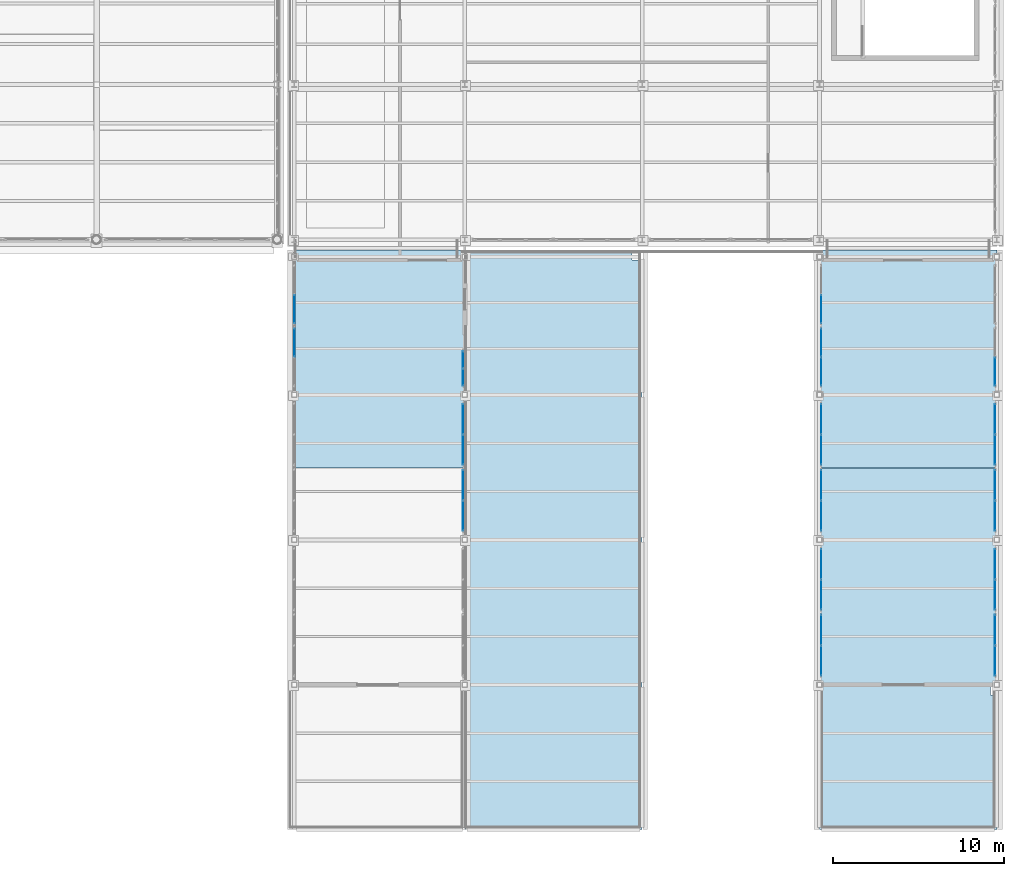
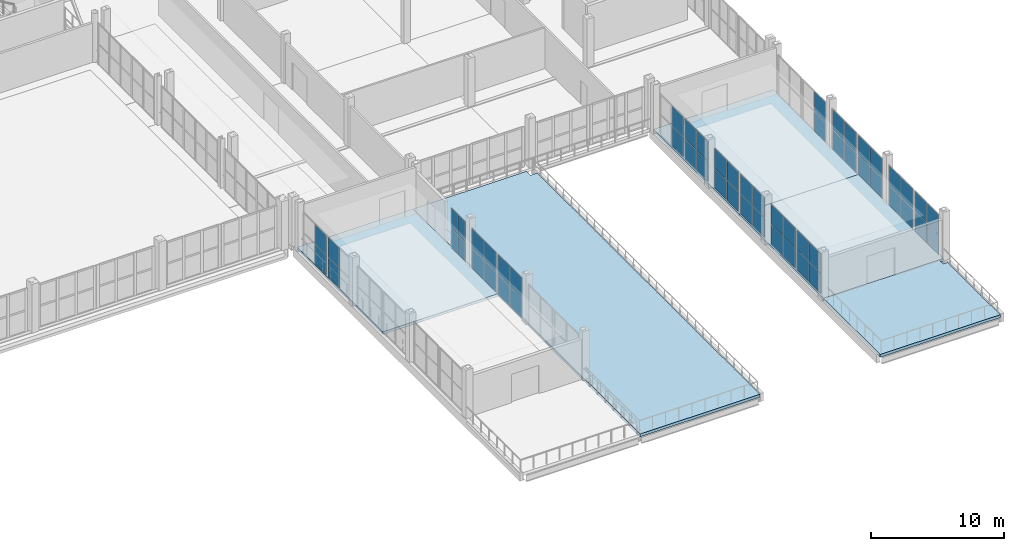
# One storey, part 108 of 156: 56 plates, 5 slabs, 16 elements without a shape of their own.
"""IFC4 building model written with IfcOpenShell, lengths in metres."""

from ifc_helpers import new_model, si_unit, direction, frame, origin, origin_2d, place, context, subcontext, project, spatial, polyline, rectangle, outline, extrude, material, layer, layer_set, type_object, element, aggregate, save


model = new_model("IFC4")

# Units and contexts
model_context = context("Model", 3, precision=1e-05, world=origin(), true_north=direction((0.0, 1.0)))
body_context = subcontext(model_context, "Body", "Model", "MODEL_VIEW")
ifc_project = project(units=[si_unit("LENGTHUNIT", "METRE"), si_unit("AREAUNIT", "SQUARE_METRE"), si_unit("VOLUMEUNIT", "CUBIC_METRE"), si_unit("PLANEANGLEUNIT", "RADIAN"), si_unit("MASSUNIT", "GRAM", prefix="KILO")], contexts=[model_context])

# Site, building, storey
site_placement = place(None, origin())
site = spatial("IfcSite", under=ifc_project, at=site_placement, CompositionType="ELEMENT")
building_placement = place(site_placement, origin())
building = spatial("IfcBuilding", under=site, at=building_placement, Name="Caurita Quay Ferry Terminal", CompositionType="ELEMENT")
storey_placement = place(building_placement, frame((0.0, 0.0, 5.39990234375)))
storey = spatial("IfcBuildingStorey", under=building, at=storey_placement, Name="L01", CompositionType="ELEMENT", Elevation=5.39990234375)

# Curtain wall, plates
ifc_material_1 = material(Name="Laminated solar-control insulated glass", Category="glass")
curtain_wall_type_1 = type_object("IfcCurtainWallType", Name="CW-SYS-16", PredefinedType="NOTDEFINED", material=ifc_material_1)
curtain_wall_1_placement = place(storey_placement, origin())
curtain_wall_1 = element("IfcCurtainWall", 1, at=curtain_wall_1_placement, inside=storey, type_object=curtain_wall_type_1, Name="Boarding Gangway Ribbon Curtain Wall 117", PredefinedType="NOTDEFINED")
ifc_layer_1 = layer(ifc_material_1, 0.02392578125, Name="Laminated low-e hurricane-rated glazing unit 24 mm")
ifc_layer_set_1 = layer_set([ifc_layer_1], Name="Laminated solar-control insulated glass")
plate_type = type_object("IfcPlateType", Name="CW-PNL-24", PredefinedType="CURTAIN_PANEL", material=ifc_layer_set_1)
plate_1_placement = place(storey_placement, frame((132.800048828125, 28.5673828125, 0.05322265625), z_axis=(0.0, 0.0, 1.0), x_axis=(0.0, 1.0, 0.0)))
plate_1 = element("IfcPlate", 2, at=plate_1_placement, type_object=plate_type, Name="CW-BGW-117 Glazing Panel 3", PredefinedType="CURTAIN_PANEL", context=body_context, shape_type="SweptSolid", body=[
    extrude(rectangle(XDim=1.64892578125, YDim=0.02392578125, at=origin_2d()), origin(), (0.0, 0.0, 1.0), 1.79638671875),
])
plate_2_placement = place(storey_placement, frame((132.800048828125, 28.5673828125, 1.900634765625), z_axis=(0.0, 0.0, 1.0), x_axis=(0.0, 1.0, 0.0)))
plate_2 = element("IfcPlate", 3, at=plate_2_placement, type_object=plate_type, Name="CW-BGW-117 Glazing Panel 4", PredefinedType="CURTAIN_PANEL", context=body_context, shape_type="SweptSolid", body=[
    extrude(rectangle(XDim=1.64892578125, YDim=0.02392578125, at=origin_2d()), origin(), (0.0, 0.0, 1.0), 1.79638671875),
])
aggregate(curtain_wall_1, [plate_1, plate_2])

curtain_wall_2_placement = place(storey_placement, origin())
curtain_wall_2 = element("IfcCurtainWall", 4, at=curtain_wall_2_placement, inside=storey, type_object=curtain_wall_type_1, Name="Boarding Gangway Ribbon Curtain Wall 118", PredefinedType="NOTDEFINED")
plate_3_placement = place(storey_placement, frame((132.800048828125, 30.532470703125, 0.05322265625), z_axis=(0.0, 0.0, 1.0), x_axis=(0.0, 1.0, 0.0)))
plate_3 = element("IfcPlate", 5, at=plate_3_placement, type_object=plate_type, Name="CW-BGW-118 Glazing Panel 1", PredefinedType="CURTAIN_PANEL", context=body_context, shape_type="SweptSolid", body=[
    extrude(rectangle(XDim=1.64892578125, YDim=0.02392578125, at=origin_2d()), origin(), (0.0, 0.0, 1.0), 1.79638671875),
])
plate_4_placement = place(storey_placement, frame((132.800048828125, 30.532470703125, 1.900634765625), z_axis=(0.0, 0.0, 1.0), x_axis=(0.0, 1.0, 0.0)))
plate_4 = element("IfcPlate", 6, at=plate_4_placement, type_object=plate_type, Name="CW-BGW-118 Glazing Panel 2", PredefinedType="CURTAIN_PANEL", context=body_context, shape_type="SweptSolid", body=[
    extrude(rectangle(XDim=1.64892578125, YDim=0.02392578125, at=origin_2d()), origin(), (0.0, 0.0, 1.0), 1.79638671875),
])
aggregate(curtain_wall_2, [plate_3, plate_4])

curtain_wall_type_2 = type_object("IfcCurtainWallType", Name="CW-SYS-15", PredefinedType="NOTDEFINED", material=ifc_material_1)
curtain_wall_3_placement = place(storey_placement, origin())
curtain_wall_3 = element("IfcCurtainWall", 7, at=curtain_wall_3_placement, inside=storey, type_object=curtain_wall_type_2, Name="Boarding Gangway Ribbon Curtain Wall 121", PredefinedType="NOTDEFINED")
plate_5_placement = place(storey_placement, frame((142.699951171875, 18.41259765625, 0.05322265625), z_axis=(0.0, 0.0, 1.0), x_axis=(0.0, 1.0, 0.0)))
plate_5 = element("IfcPlate", 8, at=plate_5_placement, type_object=plate_type, Name="CW-BGW-121 Glazing Panel 1", PredefinedType="CURTAIN_PANEL", context=body_context, shape_type="SweptSolid", body=[
    extrude(rectangle(XDim=1.7490234375, YDim=0.02392578125, at=origin_2d()), origin(), (0.0, 0.0, 1.0), 1.79638671875),
])
plate_6_placement = place(storey_placement, frame((142.699951171875, 18.41259765625, 1.900634765625), z_axis=(0.0, 0.0, 1.0), x_axis=(0.0, 1.0, 0.0)))
plate_6 = element("IfcPlate", 9, at=plate_6_placement, type_object=plate_type, Name="CW-BGW-121 Glazing Panel 2", PredefinedType="CURTAIN_PANEL", context=body_context, shape_type="SweptSolid", body=[
    extrude(rectangle(XDim=1.7490234375, YDim=0.02392578125, at=origin_2d()), origin(), (0.0, 0.0, 1.0), 1.79638671875),
])
plate_7_placement = place(storey_placement, frame((142.699951171875, 20.217529296875, 0.05322265625), z_axis=(0.0, 0.0, 1.0), x_axis=(0.0, 1.0, 0.0)))
plate_7 = element("IfcPlate", 10, at=plate_7_placement, type_object=plate_type, Name="CW-BGW-121 Glazing Panel 3", PredefinedType="CURTAIN_PANEL", context=body_context, shape_type="SweptSolid", body=[
    extrude(rectangle(XDim=1.7490234375, YDim=0.02392578125, at=origin_2d()), origin(), (0.0, 0.0, 1.0), 1.79638671875),
])
plate_8_placement = place(storey_placement, frame((142.699951171875, 20.217529296875, 1.900634765625), z_axis=(0.0, 0.0, 1.0), x_axis=(0.0, 1.0, 0.0)))
plate_8 = element("IfcPlate", 11, at=plate_8_placement, type_object=plate_type, Name="CW-BGW-121 Glazing Panel 4", PredefinedType="CURTAIN_PANEL", context=body_context, shape_type="SweptSolid", body=[
    extrude(rectangle(XDim=1.7490234375, YDim=0.02392578125, at=origin_2d()), origin(), (0.0, 0.0, 1.0), 1.79638671875),
])
aggregate(curtain_wall_3, [plate_5, plate_6, plate_7, plate_8])

curtain_wall_4_placement = place(storey_placement, origin())
curtain_wall_4 = element("IfcCurtainWall", 12, at=curtain_wall_4_placement, inside=storey, type_object=curtain_wall_type_2, Name="Boarding Gangway Ribbon Curtain Wall 122", PredefinedType="NOTDEFINED")
plate_9_placement = place(storey_placement, frame((142.699951171875, 22.282470703125, 0.05322265625), z_axis=(0.0, 0.0, 1.0), x_axis=(0.0, 1.0, 0.0)))
plate_9 = element("IfcPlate", 13, at=plate_9_placement, type_object=plate_type, Name="CW-BGW-122 Glazing Panel 1", PredefinedType="CURTAIN_PANEL", context=body_context, shape_type="SweptSolid", body=[
    extrude(rectangle(XDim=1.7490234375, YDim=0.02392578125, at=origin_2d()), origin(), (0.0, 0.0, 1.0), 1.79638671875),
])
plate_10_placement = place(storey_placement, frame((142.699951171875, 22.282470703125, 1.900634765625), z_axis=(0.0, 0.0, 1.0), x_axis=(0.0, 1.0, 0.0)))
plate_10 = element("IfcPlate", 14, at=plate_10_placement, type_object=plate_type, Name="CW-BGW-122 Glazing Panel 2", PredefinedType="CURTAIN_PANEL", context=body_context, shape_type="SweptSolid", body=[
    extrude(rectangle(XDim=1.7490234375, YDim=0.02392578125, at=origin_2d()), origin(), (0.0, 0.0, 1.0), 1.79638671875),
])
plate_11_placement = place(storey_placement, frame((142.699951171875, 24.08740234375, 0.05322265625), z_axis=(0.0, 0.0, 1.0), x_axis=(0.0, 1.0, 0.0)))
plate_11 = element("IfcPlate", 15, at=plate_11_placement, type_object=plate_type, Name="CW-BGW-122 Glazing Panel 3", PredefinedType="CURTAIN_PANEL", context=body_context, shape_type="SweptSolid", body=[
    extrude(rectangle(XDim=1.7490234375, YDim=0.02392578125, at=origin_2d()), origin(), (0.0, 0.0, 1.0), 1.79638671875),
])
plate_12_placement = place(storey_placement, frame((142.699951171875, 24.08740234375, 1.900634765625), z_axis=(0.0, 0.0, 1.0), x_axis=(0.0, 1.0, 0.0)))
plate_12 = element("IfcPlate", 16, at=plate_12_placement, type_object=plate_type, Name="CW-BGW-122 Glazing Panel 4", PredefinedType="CURTAIN_PANEL", context=body_context, shape_type="SweptSolid", body=[
    extrude(rectangle(XDim=1.7490234375, YDim=0.02392578125, at=origin_2d()), origin(), (0.0, 0.0, 1.0), 1.79638671875),
])
aggregate(curtain_wall_4, [plate_9, plate_10, plate_11, plate_12])

curtain_wall_type_3 = type_object("IfcCurtainWallType", Name="CW-SYS-17", PredefinedType="NOTDEFINED", material=ifc_material_1)
curtain_wall_5_placement = place(storey_placement, origin())
curtain_wall_5 = element("IfcCurtainWall", 17, at=curtain_wall_5_placement, inside=storey, type_object=curtain_wall_type_3, Name="Boarding Gangway Ribbon Curtain Wall 123", PredefinedType="NOTDEFINED")
plate_13_placement = place(storey_placement, frame((142.699951171875, 26.530029296875, 0.05322265625), z_axis=(0.0, 0.0, 1.0), x_axis=(0.0, 1.0, 0.0)))
plate_13 = element("IfcPlate", 18, at=plate_13_placement, type_object=plate_type, Name="CW-BGW-123 Glazing Panel 1", PredefinedType="CURTAIN_PANEL", context=body_context, shape_type="SweptSolid", body=[
    extrude(rectangle(XDim=0.98388671875, YDim=0.02392578125, at=origin_2d()), origin(), (0.0, 0.0, 1.0), 1.79638671875),
])
plate_14_placement = place(storey_placement, frame((142.699951171875, 26.530029296875, 1.900634765625), z_axis=(0.0, 0.0, 1.0), x_axis=(0.0, 1.0, 0.0)))
plate_14 = element("IfcPlate", 19, at=plate_14_placement, type_object=plate_type, Name="CW-BGW-123 Glazing Panel 2", PredefinedType="CURTAIN_PANEL", context=body_context, shape_type="SweptSolid", body=[
    extrude(rectangle(XDim=0.98388671875, YDim=0.02392578125, at=origin_2d()), origin(), (0.0, 0.0, 1.0), 1.79638671875),
])
plate_15_placement = place(storey_placement, frame((142.699951171875, 27.570068359375, 0.05322265625), z_axis=(0.0, 0.0, 1.0), x_axis=(0.0, 1.0, 0.0)))
plate_15 = element("IfcPlate", 20, at=plate_15_placement, type_object=plate_type, Name="CW-BGW-123 Glazing Panel 3", PredefinedType="CURTAIN_PANEL", context=body_context, shape_type="SweptSolid", body=[
    extrude(rectangle(XDim=0.98388671875, YDim=0.02392578125, at=origin_2d()), origin(), (0.0, 0.0, 1.0), 1.79638671875),
])
plate_16_placement = place(storey_placement, frame((142.699951171875, 27.570068359375, 1.900634765625), z_axis=(0.0, 0.0, 1.0), x_axis=(0.0, 1.0, 0.0)))
plate_16 = element("IfcPlate", 21, at=plate_16_placement, type_object=plate_type, Name="CW-BGW-123 Glazing Panel 4", PredefinedType="CURTAIN_PANEL", context=body_context, shape_type="SweptSolid", body=[
    extrude(rectangle(XDim=0.98388671875, YDim=0.02392578125, at=origin_2d()), origin(), (0.0, 0.0, 1.0), 1.79638671875),
])
aggregate(curtain_wall_5, [plate_13, plate_14, plate_15, plate_16])

curtain_wall_6_placement = place(storey_placement, origin())
curtain_wall_6 = element("IfcCurtainWall", 22, at=curtain_wall_6_placement, inside=storey, type_object=curtain_wall_type_2, Name="Boarding Gangway Ribbon Curtain Wall 124", PredefinedType="NOTDEFINED")
plate_17_placement = place(storey_placement, frame((163.699951171875, 9.91259765625, 0.05322265625), z_axis=(0.0, 0.0, 1.0), x_axis=(0.0, 1.0, 0.0)))
plate_17 = element("IfcPlate", 23, at=plate_17_placement, type_object=plate_type, Name="CW-BGW-124 Glazing Panel 1", PredefinedType="CURTAIN_PANEL", context=body_context, shape_type="SweptSolid", body=[
    extrude(rectangle(XDim=1.7490234375, YDim=0.02392578125, at=origin_2d()), origin(), (0.0, 0.0, 1.0), 1.79638671875),
])
plate_18_placement = place(storey_placement, frame((163.699951171875, 9.91259765625, 1.900634765625), z_axis=(0.0, 0.0, 1.0), x_axis=(0.0, 1.0, 0.0)))
plate_18 = element("IfcPlate", 24, at=plate_18_placement, type_object=plate_type, Name="CW-BGW-124 Glazing Panel 2", PredefinedType="CURTAIN_PANEL", context=body_context, shape_type="SweptSolid", body=[
    extrude(rectangle(XDim=1.7490234375, YDim=0.02392578125, at=origin_2d()), origin(), (0.0, 0.0, 1.0), 1.79638671875),
])
plate_19_placement = place(storey_placement, frame((163.699951171875, 11.717529296875, 0.05322265625), z_axis=(0.0, 0.0, 1.0), x_axis=(0.0, 1.0, 0.0)))
plate_19 = element("IfcPlate", 25, at=plate_19_placement, type_object=plate_type, Name="CW-BGW-124 Glazing Panel 3", PredefinedType="CURTAIN_PANEL", context=body_context, shape_type="SweptSolid", body=[
    extrude(rectangle(XDim=1.7490234375, YDim=0.02392578125, at=origin_2d()), origin(), (0.0, 0.0, 1.0), 1.79638671875),
])
plate_20_placement = place(storey_placement, frame((163.699951171875, 11.717529296875, 1.900634765625), z_axis=(0.0, 0.0, 1.0), x_axis=(0.0, 1.0, 0.0)))
plate_20 = element("IfcPlate", 26, at=plate_20_placement, type_object=plate_type, Name="CW-BGW-124 Glazing Panel 4", PredefinedType="CURTAIN_PANEL", context=body_context, shape_type="SweptSolid", body=[
    extrude(rectangle(XDim=1.7490234375, YDim=0.02392578125, at=origin_2d()), origin(), (0.0, 0.0, 1.0), 1.79638671875),
])
aggregate(curtain_wall_6, [plate_17, plate_18, plate_19, plate_20])

curtain_wall_7_placement = place(storey_placement, origin())
curtain_wall_7 = element("IfcCurtainWall", 27, at=curtain_wall_7_placement, inside=storey, type_object=curtain_wall_type_2, Name="Boarding Gangway Ribbon Curtain Wall 125", PredefinedType="NOTDEFINED")
plate_21_placement = place(storey_placement, frame((163.699951171875, 13.782470703125, 0.05322265625), z_axis=(0.0, 0.0, 1.0), x_axis=(0.0, 1.0, 0.0)))
plate_21 = element("IfcPlate", 28, at=plate_21_placement, type_object=plate_type, Name="CW-BGW-125 Glazing Panel 1", PredefinedType="CURTAIN_PANEL", context=body_context, shape_type="SweptSolid", body=[
    extrude(rectangle(XDim=1.7490234375, YDim=0.02392578125, at=origin_2d()), origin(), (0.0, 0.0, 1.0), 1.79638671875),
])
plate_22_placement = place(storey_placement, frame((163.699951171875, 13.782470703125, 1.900634765625), z_axis=(0.0, 0.0, 1.0), x_axis=(0.0, 1.0, 0.0)))
plate_22 = element("IfcPlate", 29, at=plate_22_placement, type_object=plate_type, Name="CW-BGW-125 Glazing Panel 2", PredefinedType="CURTAIN_PANEL", context=body_context, shape_type="SweptSolid", body=[
    extrude(rectangle(XDim=1.7490234375, YDim=0.02392578125, at=origin_2d()), origin(), (0.0, 0.0, 1.0), 1.79638671875),
])
plate_23_placement = place(storey_placement, frame((163.699951171875, 15.58740234375, 0.05322265625), z_axis=(0.0, 0.0, 1.0), x_axis=(0.0, 1.0, 0.0)))
plate_23 = element("IfcPlate", 30, at=plate_23_placement, type_object=plate_type, Name="CW-BGW-125 Glazing Panel 3", PredefinedType="CURTAIN_PANEL", context=body_context, shape_type="SweptSolid", body=[
    extrude(rectangle(XDim=1.7490234375, YDim=0.02392578125, at=origin_2d()), origin(), (0.0, 0.0, 1.0), 1.79638671875),
])
plate_24_placement = place(storey_placement, frame((163.699951171875, 15.58740234375, 1.900634765625), z_axis=(0.0, 0.0, 1.0), x_axis=(0.0, 1.0, 0.0)))
plate_24 = element("IfcPlate", 31, at=plate_24_placement, type_object=plate_type, Name="CW-BGW-125 Glazing Panel 4", PredefinedType="CURTAIN_PANEL", context=body_context, shape_type="SweptSolid", body=[
    extrude(rectangle(XDim=1.7490234375, YDim=0.02392578125, at=origin_2d()), origin(), (0.0, 0.0, 1.0), 1.79638671875),
])
aggregate(curtain_wall_7, [plate_21, plate_22, plate_23, plate_24])

curtain_wall_8_placement = place(storey_placement, origin())
curtain_wall_8 = element("IfcCurtainWall", 32, at=curtain_wall_8_placement, inside=storey, type_object=curtain_wall_type_2, Name="Boarding Gangway Ribbon Curtain Wall 126", PredefinedType="NOTDEFINED")
plate_25_placement = place(storey_placement, frame((163.699951171875, 18.41259765625, 0.05322265625), z_axis=(0.0, 0.0, 1.0), x_axis=(0.0, 1.0, 0.0)))
plate_25 = element("IfcPlate", 33, at=plate_25_placement, type_object=plate_type, Name="CW-BGW-126 Glazing Panel 1", PredefinedType="CURTAIN_PANEL", context=body_context, shape_type="SweptSolid", body=[
    extrude(rectangle(XDim=1.7490234375, YDim=0.02392578125, at=origin_2d()), origin(), (0.0, 0.0, 1.0), 1.79638671875),
])
plate_26_placement = place(storey_placement, frame((163.699951171875, 18.41259765625, 1.900634765625), z_axis=(0.0, 0.0, 1.0), x_axis=(0.0, 1.0, 0.0)))
plate_26 = element("IfcPlate", 34, at=plate_26_placement, type_object=plate_type, Name="CW-BGW-126 Glazing Panel 2", PredefinedType="CURTAIN_PANEL", context=body_context, shape_type="SweptSolid", body=[
    extrude(rectangle(XDim=1.7490234375, YDim=0.02392578125, at=origin_2d()), origin(), (0.0, 0.0, 1.0), 1.79638671875),
])
plate_27_placement = place(storey_placement, frame((163.699951171875, 20.217529296875, 0.05322265625), z_axis=(0.0, 0.0, 1.0), x_axis=(0.0, 1.0, 0.0)))
plate_27 = element("IfcPlate", 35, at=plate_27_placement, type_object=plate_type, Name="CW-BGW-126 Glazing Panel 3", PredefinedType="CURTAIN_PANEL", context=body_context, shape_type="SweptSolid", body=[
    extrude(rectangle(XDim=1.7490234375, YDim=0.02392578125, at=origin_2d()), origin(), (0.0, 0.0, 1.0), 1.79638671875),
])
plate_28_placement = place(storey_placement, frame((163.699951171875, 20.217529296875, 1.900634765625), z_axis=(0.0, 0.0, 1.0), x_axis=(0.0, 1.0, 0.0)))
plate_28 = element("IfcPlate", 36, at=plate_28_placement, type_object=plate_type, Name="CW-BGW-126 Glazing Panel 4", PredefinedType="CURTAIN_PANEL", context=body_context, shape_type="SweptSolid", body=[
    extrude(rectangle(XDim=1.7490234375, YDim=0.02392578125, at=origin_2d()), origin(), (0.0, 0.0, 1.0), 1.79638671875),
])
aggregate(curtain_wall_8, [plate_25, plate_26, plate_27, plate_28])

curtain_wall_9_placement = place(storey_placement, origin())
curtain_wall_9 = element("IfcCurtainWall", 37, at=curtain_wall_9_placement, inside=storey, type_object=curtain_wall_type_2, Name="Boarding Gangway Ribbon Curtain Wall 127", PredefinedType="NOTDEFINED")
plate_29_placement = place(storey_placement, frame((163.699951171875, 22.282470703125, 0.05322265625), z_axis=(0.0, 0.0, 1.0), x_axis=(0.0, 1.0, 0.0)))
plate_29 = element("IfcPlate", 38, at=plate_29_placement, type_object=plate_type, Name="CW-BGW-127 Glazing Panel 1", PredefinedType="CURTAIN_PANEL", context=body_context, shape_type="SweptSolid", body=[
    extrude(rectangle(XDim=1.7490234375, YDim=0.02392578125, at=origin_2d()), origin(), (0.0, 0.0, 1.0), 1.79638671875),
])
plate_30_placement = place(storey_placement, frame((163.699951171875, 22.282470703125, 1.900634765625), z_axis=(0.0, 0.0, 1.0), x_axis=(0.0, 1.0, 0.0)))
plate_30 = element("IfcPlate", 39, at=plate_30_placement, type_object=plate_type, Name="CW-BGW-127 Glazing Panel 2", PredefinedType="CURTAIN_PANEL", context=body_context, shape_type="SweptSolid", body=[
    extrude(rectangle(XDim=1.7490234375, YDim=0.02392578125, at=origin_2d()), origin(), (0.0, 0.0, 1.0), 1.79638671875),
])
plate_31_placement = place(storey_placement, frame((163.699951171875, 24.08740234375, 0.05322265625), z_axis=(0.0, 0.0, 1.0), x_axis=(0.0, 1.0, 0.0)))
plate_31 = element("IfcPlate", 40, at=plate_31_placement, type_object=plate_type, Name="CW-BGW-127 Glazing Panel 3", PredefinedType="CURTAIN_PANEL", context=body_context, shape_type="SweptSolid", body=[
    extrude(rectangle(XDim=1.7490234375, YDim=0.02392578125, at=origin_2d()), origin(), (0.0, 0.0, 1.0), 1.79638671875),
])
plate_32_placement = place(storey_placement, frame((163.699951171875, 24.08740234375, 1.900634765625), z_axis=(0.0, 0.0, 1.0), x_axis=(0.0, 1.0, 0.0)))
plate_32 = element("IfcPlate", 41, at=plate_32_placement, type_object=plate_type, Name="CW-BGW-127 Glazing Panel 4", PredefinedType="CURTAIN_PANEL", context=body_context, shape_type="SweptSolid", body=[
    extrude(rectangle(XDim=1.7490234375, YDim=0.02392578125, at=origin_2d()), origin(), (0.0, 0.0, 1.0), 1.79638671875),
])
aggregate(curtain_wall_9, [plate_29, plate_30, plate_31, plate_32])

curtain_wall_10_placement = place(storey_placement, origin())
curtain_wall_10 = element("IfcCurtainWall", 42, at=curtain_wall_10_placement, inside=storey, type_object=curtain_wall_type_1, Name="Boarding Gangway Ribbon Curtain Wall 128", PredefinedType="NOTDEFINED")
plate_33_placement = place(storey_placement, frame((163.699951171875, 26.862548828125, 0.05322265625), z_axis=(0.0, 0.0, 1.0), x_axis=(0.0, 1.0, 0.0)))
plate_33 = element("IfcPlate", 43, at=plate_33_placement, type_object=plate_type, Name="CW-BGW-128 Glazing Panel 1", PredefinedType="CURTAIN_PANEL", context=body_context, shape_type="SweptSolid", body=[
    extrude(rectangle(XDim=1.64892578125, YDim=0.02392578125, at=origin_2d()), origin(), (0.0, 0.0, 1.0), 1.79638671875),
])
plate_34_placement = place(storey_placement, frame((163.699951171875, 26.862548828125, 1.900634765625), z_axis=(0.0, 0.0, 1.0), x_axis=(0.0, 1.0, 0.0)))
plate_34 = element("IfcPlate", 44, at=plate_34_placement, type_object=plate_type, Name="CW-BGW-128 Glazing Panel 2", PredefinedType="CURTAIN_PANEL", context=body_context, shape_type="SweptSolid", body=[
    extrude(rectangle(XDim=1.64892578125, YDim=0.02392578125, at=origin_2d()), origin(), (0.0, 0.0, 1.0), 1.79638671875),
])
plate_35_placement = place(storey_placement, frame((163.699951171875, 28.5673828125, 0.05322265625), z_axis=(0.0, 0.0, 1.0), x_axis=(0.0, 1.0, 0.0)))
plate_35 = element("IfcPlate", 45, at=plate_35_placement, type_object=plate_type, Name="CW-BGW-128 Glazing Panel 3", PredefinedType="CURTAIN_PANEL", context=body_context, shape_type="SweptSolid", body=[
    extrude(rectangle(XDim=1.64892578125, YDim=0.02392578125, at=origin_2d()), origin(), (0.0, 0.0, 1.0), 1.79638671875),
])
plate_36_placement = place(storey_placement, frame((163.699951171875, 28.5673828125, 1.900634765625), z_axis=(0.0, 0.0, 1.0), x_axis=(0.0, 1.0, 0.0)))
plate_36 = element("IfcPlate", 46, at=plate_36_placement, type_object=plate_type, Name="CW-BGW-128 Glazing Panel 4", PredefinedType="CURTAIN_PANEL", context=body_context, shape_type="SweptSolid", body=[
    extrude(rectangle(XDim=1.64892578125, YDim=0.02392578125, at=origin_2d()), origin(), (0.0, 0.0, 1.0), 1.79638671875),
])
aggregate(curtain_wall_10, [plate_33, plate_34, plate_35, plate_36])

curtain_wall_11_placement = place(storey_placement, origin())
curtain_wall_11 = element("IfcCurtainWall", 47, at=curtain_wall_11_placement, inside=storey, type_object=curtain_wall_type_1, Name="Boarding Gangway Ribbon Curtain Wall 129", PredefinedType="NOTDEFINED")
plate_37_placement = place(storey_placement, frame((163.699951171875, 30.532470703125, 0.05322265625), z_axis=(0.0, 0.0, 1.0), x_axis=(0.0, 1.0, 0.0)))
plate_37 = element("IfcPlate", 48, at=plate_37_placement, type_object=plate_type, Name="CW-BGW-129 Glazing Panel 1", PredefinedType="CURTAIN_PANEL", context=body_context, shape_type="SweptSolid", body=[
    extrude(rectangle(XDim=1.64892578125, YDim=0.02392578125, at=origin_2d()), origin(), (0.0, 0.0, 1.0), 1.79638671875),
])
plate_38_placement = place(storey_placement, frame((163.699951171875, 30.532470703125, 1.900634765625), z_axis=(0.0, 0.0, 1.0), x_axis=(0.0, 1.0, 0.0)))
plate_38 = element("IfcPlate", 49, at=plate_38_placement, type_object=plate_type, Name="CW-BGW-129 Glazing Panel 2", PredefinedType="CURTAIN_PANEL", context=body_context, shape_type="SweptSolid", body=[
    extrude(rectangle(XDim=1.64892578125, YDim=0.02392578125, at=origin_2d()), origin(), (0.0, 0.0, 1.0), 1.79638671875),
])
aggregate(curtain_wall_11, [plate_37, plate_38])

curtain_wall_12_placement = place(storey_placement, origin())
curtain_wall_12 = element("IfcCurtainWall", 50, at=curtain_wall_12_placement, inside=storey, type_object=curtain_wall_type_2, Name="Boarding Gangway Ribbon Curtain Wall 130", PredefinedType="NOTDEFINED")
plate_39_placement = place(storey_placement, frame((173.89990234375, 9.91259765625, 0.05322265625), z_axis=(0.0, 0.0, 1.0), x_axis=(0.0, 1.0, 0.0)))
plate_39 = element("IfcPlate", 51, at=plate_39_placement, type_object=plate_type, Name="CW-BGW-130 Glazing Panel 1", PredefinedType="CURTAIN_PANEL", context=body_context, shape_type="SweptSolid", body=[
    extrude(rectangle(XDim=1.7490234375, YDim=0.02392578125, at=origin_2d()), origin(), (0.0, 0.0, 1.0), 1.79638671875),
])
plate_40_placement = place(storey_placement, frame((173.89990234375, 9.91259765625, 1.900634765625), z_axis=(0.0, 0.0, 1.0), x_axis=(0.0, 1.0, 0.0)))
plate_40 = element("IfcPlate", 52, at=plate_40_placement, type_object=plate_type, Name="CW-BGW-130 Glazing Panel 2", PredefinedType="CURTAIN_PANEL", context=body_context, shape_type="SweptSolid", body=[
    extrude(rectangle(XDim=1.7490234375, YDim=0.02392578125, at=origin_2d()), origin(), (0.0, 0.0, 1.0), 1.79638671875),
])
plate_41_placement = place(storey_placement, frame((173.89990234375, 11.717529296875, 0.05322265625), z_axis=(0.0, 0.0, 1.0), x_axis=(0.0, 1.0, 0.0)))
plate_41 = element("IfcPlate", 53, at=plate_41_placement, type_object=plate_type, Name="CW-BGW-130 Glazing Panel 3", PredefinedType="CURTAIN_PANEL", context=body_context, shape_type="SweptSolid", body=[
    extrude(rectangle(XDim=1.7490234375, YDim=0.02392578125, at=origin_2d()), origin(), (0.0, 0.0, 1.0), 1.79638671875),
])
plate_42_placement = place(storey_placement, frame((173.89990234375, 11.717529296875, 1.900634765625), z_axis=(0.0, 0.0, 1.0), x_axis=(0.0, 1.0, 0.0)))
plate_42 = element("IfcPlate", 54, at=plate_42_placement, type_object=plate_type, Name="CW-BGW-130 Glazing Panel 4", PredefinedType="CURTAIN_PANEL", context=body_context, shape_type="SweptSolid", body=[
    extrude(rectangle(XDim=1.7490234375, YDim=0.02392578125, at=origin_2d()), origin(), (0.0, 0.0, 1.0), 1.79638671875),
])
aggregate(curtain_wall_12, [plate_39, plate_40, plate_41, plate_42])

curtain_wall_13_placement = place(storey_placement, origin())
curtain_wall_13 = element("IfcCurtainWall", 55, at=curtain_wall_13_placement, inside=storey, type_object=curtain_wall_type_2, Name="Boarding Gangway Ribbon Curtain Wall 131", PredefinedType="NOTDEFINED")
plate_43_placement = place(storey_placement, frame((173.89990234375, 13.782470703125, 0.05322265625), z_axis=(0.0, 0.0, 1.0), x_axis=(0.0, 1.0, 0.0)))
plate_43 = element("IfcPlate", 56, at=plate_43_placement, type_object=plate_type, Name="CW-BGW-131 Glazing Panel 1", PredefinedType="CURTAIN_PANEL", context=body_context, shape_type="SweptSolid", body=[
    extrude(rectangle(XDim=1.7490234375, YDim=0.02392578125, at=origin_2d()), origin(), (0.0, 0.0, 1.0), 1.79638671875),
])
plate_44_placement = place(storey_placement, frame((173.89990234375, 13.782470703125, 1.900634765625), z_axis=(0.0, 0.0, 1.0), x_axis=(0.0, 1.0, 0.0)))
plate_44 = element("IfcPlate", 57, at=plate_44_placement, type_object=plate_type, Name="CW-BGW-131 Glazing Panel 2", PredefinedType="CURTAIN_PANEL", context=body_context, shape_type="SweptSolid", body=[
    extrude(rectangle(XDim=1.7490234375, YDim=0.02392578125, at=origin_2d()), origin(), (0.0, 0.0, 1.0), 1.79638671875),
])
plate_45_placement = place(storey_placement, frame((173.89990234375, 15.58740234375, 0.05322265625), z_axis=(0.0, 0.0, 1.0), x_axis=(0.0, 1.0, 0.0)))
plate_45 = element("IfcPlate", 58, at=plate_45_placement, type_object=plate_type, Name="CW-BGW-131 Glazing Panel 3", PredefinedType="CURTAIN_PANEL", context=body_context, shape_type="SweptSolid", body=[
    extrude(rectangle(XDim=1.7490234375, YDim=0.02392578125, at=origin_2d()), origin(), (0.0, 0.0, 1.0), 1.79638671875),
])
plate_46_placement = place(storey_placement, frame((173.89990234375, 15.58740234375, 1.900634765625), z_axis=(0.0, 0.0, 1.0), x_axis=(0.0, 1.0, 0.0)))
plate_46 = element("IfcPlate", 59, at=plate_46_placement, type_object=plate_type, Name="CW-BGW-131 Glazing Panel 4", PredefinedType="CURTAIN_PANEL", context=body_context, shape_type="SweptSolid", body=[
    extrude(rectangle(XDim=1.7490234375, YDim=0.02392578125, at=origin_2d()), origin(), (0.0, 0.0, 1.0), 1.79638671875),
])
aggregate(curtain_wall_13, [plate_43, plate_44, plate_45, plate_46])

curtain_wall_14_placement = place(storey_placement, origin())
curtain_wall_14 = element("IfcCurtainWall", 60, at=curtain_wall_14_placement, inside=storey, type_object=curtain_wall_type_2, Name="Boarding Gangway Ribbon Curtain Wall 132", PredefinedType="NOTDEFINED")
plate_47_placement = place(storey_placement, frame((173.89990234375, 18.41259765625, 0.05322265625), z_axis=(0.0, 0.0, 1.0), x_axis=(0.0, 1.0, 0.0)))
plate_47 = element("IfcPlate", 61, at=plate_47_placement, type_object=plate_type, Name="CW-BGW-132 Glazing Panel 1", PredefinedType="CURTAIN_PANEL", context=body_context, shape_type="SweptSolid", body=[
    extrude(rectangle(XDim=1.7490234375, YDim=0.02392578125, at=origin_2d()), origin(), (0.0, 0.0, 1.0), 1.79638671875),
])
plate_48_placement = place(storey_placement, frame((173.89990234375, 18.41259765625, 1.900634765625), z_axis=(0.0, 0.0, 1.0), x_axis=(0.0, 1.0, 0.0)))
plate_48 = element("IfcPlate", 62, at=plate_48_placement, type_object=plate_type, Name="CW-BGW-132 Glazing Panel 2", PredefinedType="CURTAIN_PANEL", context=body_context, shape_type="SweptSolid", body=[
    extrude(rectangle(XDim=1.7490234375, YDim=0.02392578125, at=origin_2d()), origin(), (0.0, 0.0, 1.0), 1.79638671875),
])
plate_49_placement = place(storey_placement, frame((173.89990234375, 20.217529296875, 0.05322265625), z_axis=(0.0, 0.0, 1.0), x_axis=(0.0, 1.0, 0.0)))
plate_49 = element("IfcPlate", 63, at=plate_49_placement, type_object=plate_type, Name="CW-BGW-132 Glazing Panel 3", PredefinedType="CURTAIN_PANEL", context=body_context, shape_type="SweptSolid", body=[
    extrude(rectangle(XDim=1.7490234375, YDim=0.02392578125, at=origin_2d()), origin(), (0.0, 0.0, 1.0), 1.79638671875),
])
plate_50_placement = place(storey_placement, frame((173.89990234375, 20.217529296875, 1.900634765625), z_axis=(0.0, 0.0, 1.0), x_axis=(0.0, 1.0, 0.0)))
plate_50 = element("IfcPlate", 64, at=plate_50_placement, type_object=plate_type, Name="CW-BGW-132 Glazing Panel 4", PredefinedType="CURTAIN_PANEL", context=body_context, shape_type="SweptSolid", body=[
    extrude(rectangle(XDim=1.7490234375, YDim=0.02392578125, at=origin_2d()), origin(), (0.0, 0.0, 1.0), 1.79638671875),
])
aggregate(curtain_wall_14, [plate_47, plate_48, plate_49, plate_50])

curtain_wall_15_placement = place(storey_placement, origin())
curtain_wall_15 = element("IfcCurtainWall", 65, at=curtain_wall_15_placement, inside=storey, type_object=curtain_wall_type_2, Name="Boarding Gangway Ribbon Curtain Wall 133", PredefinedType="NOTDEFINED")
plate_51_placement = place(storey_placement, frame((173.89990234375, 22.282470703125, 0.05322265625), z_axis=(0.0, 0.0, 1.0), x_axis=(0.0, 1.0, 0.0)))
plate_51 = element("IfcPlate", 66, at=plate_51_placement, type_object=plate_type, Name="CW-BGW-133 Glazing Panel 1", PredefinedType="CURTAIN_PANEL", context=body_context, shape_type="SweptSolid", body=[
    extrude(rectangle(XDim=1.7490234375, YDim=0.02392578125, at=origin_2d()), origin(), (0.0, 0.0, 1.0), 1.79638671875),
])
plate_52_placement = place(storey_placement, frame((173.89990234375, 22.282470703125, 1.900634765625), z_axis=(0.0, 0.0, 1.0), x_axis=(0.0, 1.0, 0.0)))
plate_52 = element("IfcPlate", 67, at=plate_52_placement, type_object=plate_type, Name="CW-BGW-133 Glazing Panel 2", PredefinedType="CURTAIN_PANEL", context=body_context, shape_type="SweptSolid", body=[
    extrude(rectangle(XDim=1.7490234375, YDim=0.02392578125, at=origin_2d()), origin(), (0.0, 0.0, 1.0), 1.79638671875),
])
plate_53_placement = place(storey_placement, frame((173.89990234375, 24.08740234375, 0.05322265625), z_axis=(0.0, 0.0, 1.0), x_axis=(0.0, 1.0, 0.0)))
plate_53 = element("IfcPlate", 68, at=plate_53_placement, type_object=plate_type, Name="CW-BGW-133 Glazing Panel 3", PredefinedType="CURTAIN_PANEL", context=body_context, shape_type="SweptSolid", body=[
    extrude(rectangle(XDim=1.7490234375, YDim=0.02392578125, at=origin_2d()), origin(), (0.0, 0.0, 1.0), 1.79638671875),
])
plate_54_placement = place(storey_placement, frame((173.89990234375, 24.08740234375, 1.900634765625), z_axis=(0.0, 0.0, 1.0), x_axis=(0.0, 1.0, 0.0)))
plate_54 = element("IfcPlate", 69, at=plate_54_placement, type_object=plate_type, Name="CW-BGW-133 Glazing Panel 4", PredefinedType="CURTAIN_PANEL", context=body_context, shape_type="SweptSolid", body=[
    extrude(rectangle(XDim=1.7490234375, YDim=0.02392578125, at=origin_2d()), origin(), (0.0, 0.0, 1.0), 1.79638671875),
])
aggregate(curtain_wall_15, [plate_51, plate_52, plate_53, plate_54])

curtain_wall_16_placement = place(storey_placement, origin())
curtain_wall_16 = element("IfcCurtainWall", 70, at=curtain_wall_16_placement, inside=storey, type_object=curtain_wall_type_1, Name="Boarding Gangway Ribbon Curtain Wall 134", PredefinedType="NOTDEFINED")
plate_55_placement = place(storey_placement, frame((173.89990234375, 26.862548828125, 0.05322265625), z_axis=(0.0, 0.0, 1.0), x_axis=(0.0, 1.0, 0.0)))
plate_55 = element("IfcPlate", 71, at=plate_55_placement, type_object=plate_type, Name="CW-BGW-134 Glazing Panel 1", PredefinedType="CURTAIN_PANEL", context=body_context, shape_type="SweptSolid", body=[
    extrude(rectangle(XDim=1.64892578125, YDim=0.02392578125, at=origin_2d()), origin(), (0.0, 0.0, 1.0), 1.79638671875),
])
plate_56_placement = place(storey_placement, frame((173.89990234375, 26.862548828125, 1.900634765625), z_axis=(0.0, 0.0, 1.0), x_axis=(0.0, 1.0, 0.0)))
plate_56 = element("IfcPlate", 72, at=plate_56_placement, type_object=plate_type, Name="CW-BGW-134 Glazing Panel 2", PredefinedType="CURTAIN_PANEL", context=body_context, shape_type="SweptSolid", body=[
    extrude(rectangle(XDim=1.64892578125, YDim=0.02392578125, at=origin_2d()), origin(), (0.0, 0.0, 1.0), 1.79638671875),
])
aggregate(curtain_wall_16, [plate_55, plate_56])

# Slabs
ifc_material_2 = material(Name="Reinforced concrete C35/45", Category="concrete")
ifc_layer_2 = layer(ifc_material_2, 0.235107421875, Name="Reinforced concrete floor slab 235 mm")
ifc_layer_set_2 = layer_set([ifc_layer_2], Name="Reinforced concrete C35/45")
slab_type_1 = type_object("IfcSlabType", Name="SLB-FLR-235", PredefinedType="FLOOR", material=ifc_layer_set_2)
slab_1_placement = place(storey_placement, frame((0.0, 0.0, -0.23486328125)))
element("IfcSlab", 73, at=slab_1_placement, inside=storey, type_object=slab_type_1, Name="L01 V3-GW1 Slab 02", PredefinedType="FLOOR", context=body_context, shape_type="SweptSolid", body=[
    extrude(outline(polyline([(132.780029296875, 21.199951171875), (142.800048828125, 21.199951171875), (142.800048828125, 34.0), (132.780029296875, 34.0), (132.780029296875, 21.199951171875)])), origin(), (0.0, 0.0, 1.0), 0.23486328125),
])
slab_2_placement = place(storey_placement, frame((0.0, 0.0, -0.23486328125)))
element("IfcSlab", 74, at=slab_2_placement, inside=storey, type_object=slab_type_1, Name="L01 V3-GW2 Slab 01", PredefinedType="FLOOR", context=body_context, shape_type="SweptSolid", body=[
    extrude(outline(polyline([(163.60009765625, 8.5), (174.0, 8.5), (174.0, 21.199951171875), (163.60009765625, 21.199951171875), (163.60009765625, 8.5)])), origin(), (0.0, 0.0, 1.0), 0.23486328125),
])
slab_3_placement = place(storey_placement, frame((0.0, 0.0, -0.23486328125)))
element("IfcSlab", 75, at=slab_3_placement, inside=storey, type_object=slab_type_1, Name="L01 V3-GW2 Slab 02", PredefinedType="FLOOR", context=body_context, shape_type="SweptSolid", body=[
    extrude(outline(polyline([(163.60009765625, 21.199951171875), (174.0, 21.199951171875), (174.0, 34.0), (163.60009765625, 34.0), (163.60009765625, 21.199951171875)])), origin(), (0.0, 0.0, 1.0), 0.23486328125),
])
ifc_layer_3 = layer(ifc_material_2, 0.260009765625, Name="Reinforced concrete floor slab 260 mm")
ifc_layer_set_3 = layer_set([ifc_layer_3], Name="Reinforced concrete C35/45")
slab_type_2 = type_object("IfcSlabType", Name="SLB-GDN-260", PredefinedType="FLOOR", material=ifc_layer_set_3)
slab_4_placement = place(storey_placement, frame((0.0, 0.0, -0.260009765625)))
element("IfcSlab", 76, at=slab_4_placement, inside=storey, type_object=slab_type_2, Name="Berth 2 Observation Deck", PredefinedType="FLOOR", context=body_context, shape_type="SweptSolid", body=[
    extrude(outline(polyline([(163.60009765625, 0.0), (174.0, 0.0), (174.0, 7.89990234375), (173.6201171875, 7.89990234375), (173.6201171875, 8.5), (163.60009765625, 8.5), (163.60009765625, 0.0)])), origin(), (0.0, 0.0, 1.0), 0.260009765625),
])
slab_5_placement = place(storey_placement, frame((0.0, 0.0, -0.260009765625)))
element("IfcSlab", 77, at=slab_5_placement, inside=storey, type_object=slab_type_2, Name="Berth 1 Side Promenade Deck", PredefinedType="FLOOR", context=body_context, shape_type="SweptSolid", body=[
    extrude(outline(polyline([(142.800048828125, 0.0), (153.199951171875, 0.0), (153.199951171875, 33.39990234375), (152.60009765625, 33.39990234375), (152.60009765625, 34.0), (142.800048828125, 34.0), (142.800048828125, 0.0)])), origin(), (0.0, 0.0, 1.0), 0.260009765625),
])

save(model, "model.ifc")
